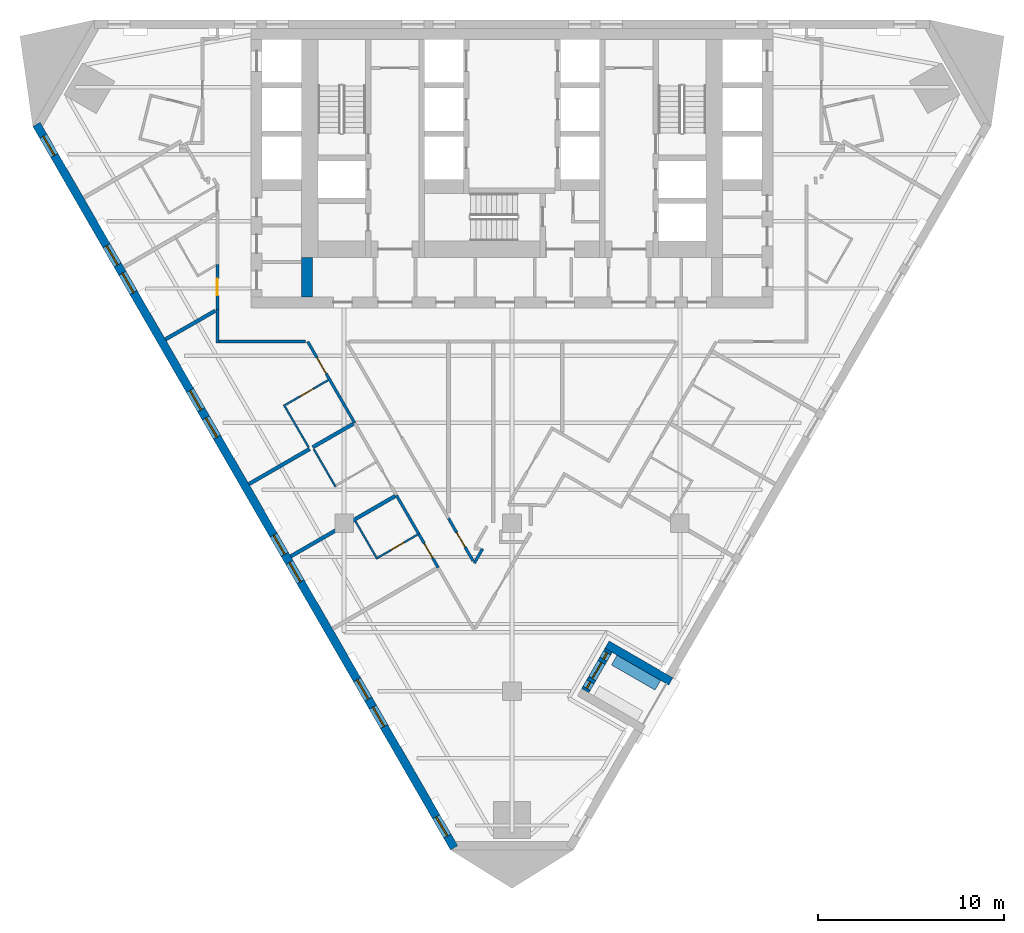
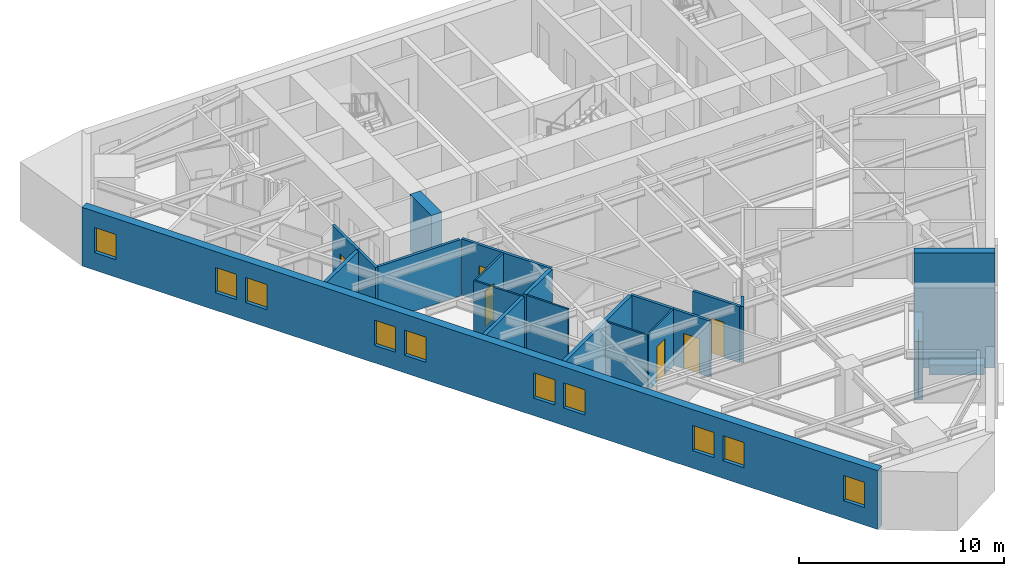
# One storey, part 3 of 11: 22 walls, 12 windows, 7 doors, 19 openings.
"""IFC4 building model written with IfcOpenShell, lengths in metres."""

from ifc_helpers import new_model, si_unit, direction, frame, frame_2d, origin, place, context, subcontext, project, spatial, polyline, rectangle, outline, extrude, material, layer, layer_set, type_object, element, fill, save


model = new_model("IFC4")

# Units and contexts
model_context = context("Model", 3, precision=1e-05, world=origin(), true_north=direction((0.0, 1.0)))
body_context = subcontext(model_context, "Body", "Model", "MODEL_VIEW")
ifc_project = project(units=[si_unit("LENGTHUNIT", "METRE"), si_unit("AREAUNIT", "SQUARE_METRE"), si_unit("VOLUMEUNIT", "CUBIC_METRE"), si_unit("PLANEANGLEUNIT", "RADIAN"), si_unit("MASSUNIT", "GRAM", prefix="KILO")], contexts=[model_context])

# Site, building, storey
site_placement = place(None, origin())
site = spatial("IfcSite", under=ifc_project, at=site_placement, CompositionType="ELEMENT")
building_placement = place(site_placement, origin())
building = spatial("IfcBuilding", under=site, at=building_placement, Name="Aloe Facet Convention Tower", CompositionType="ELEMENT")
storey_placement = place(building_placement, frame((0.0, 0.0, 66.5)))
storey = spatial("IfcBuildingStorey", under=building, at=storey_placement, Name="L15", CompositionType="ELEMENT", Elevation=66.5)

# Walls
ifc_material_1 = material(Name="Concrete C80/95", Category="concrete")
ifc_layer_1 = layer(ifc_material_1, 0.60009765625)
ifc_layer_set_1 = layer_set([ifc_layer_1], Name="CR-W-RC600-C8095")
wall_type_1 = type_object("IfcWallType", Name="CR-W-RC600-C8095", PredefinedType="SOLIDWALL", material=ifc_layer_set_1)
wall_1_placement = place(storey_placement, frame((69.0, 122.25, 0.0), z_axis=(0.0, 0.0, 1.0), x_axis=(0.0, -1.0, 0.0)))
element("IfcWall", 1, at=wall_1_placement, inside=storey, type_object=wall_type_1, Name="Core wall L15-010", PredefinedType="SOLIDWALL", context=body_context, shape_type="SweptSolid", body=[
    extrude(rectangle(XDim=2.10009765625, YDim=0.60009765625, at=frame_2d((1.050048828125, 0.0))), origin(), (0.0, 0.0, 1.0), 3.35009765625),
])
ifc_material_2 = material(Name="Precast concrete C40/50", Category="concrete")
ifc_layer_2 = layer(ifc_material_2, 0.60009765625)
ifc_layer_set_2 = layer_set([ifc_layer_2], Name="EV-PLANTER")
wall_type_2 = type_object("IfcWallType", Name="EV-PLANTER", PredefinedType="STANDARD", material=ifc_layer_set_2)
wall_2_placement = place(storey_placement, frame((87.822021484375, 99.318603515625, 0.0), z_axis=(0.0, 0.0, 1.0), x_axis=(-0.866019956843, 0.50000943426, 0.0)))
element("IfcWall", 2, at=wall_2_placement, inside=storey, type_object=wall_type_2, Name="PLANTER T03-2", PredefinedType="STANDARD", context=body_context, shape_type="SweptSolid", body=[
    extrude(rectangle(XDim=2.7001953125, YDim=0.60009765625, at=frame_2d((1.35009765625, 0.0))), origin(), (0.0, 0.0, 1.0), 0.60009765625),
])

# Wall, openings, windows
ifc_material_3 = material(Name="Precast concrete C40/50", Category="concrete")
ifc_layer_3 = layer(ifc_material_3, 0.449951171875)
ifc_layer_set_3 = layer_set([ifc_layer_3], Name="EV-WALL-STONE")
wall_type_3 = type_object("IfcWallType", Name="EV-WALL-STONE", PredefinedType="SOLIDWALL", material=ifc_layer_set_3)
wall_3_placement = place(storey_placement, frame((54.494873046875, 129.396728515625, -0.14990234375), z_axis=(0.0, 0.0, 1.0), x_axis=(0.499999201451, -0.866025864826, 0.0)))
wall_3 = element("IfcWall", 3, at=wall_3_placement, inside=storey, type_object=wall_type_3, Name="EW-L15-W01", PredefinedType="SOLIDWALL", context=body_context, shape_type="SweptSolid", body=[
    extrude(outline(polyline([(44.800048828125, 0.0), (44.800048828125, 3.5), (0.0, 3.5), (0.0, 0.0), (44.800048828125, 0.0)])), frame((0.0, 0.22509765625, 0.0), z_axis=(0.0, -1.0, 0.0), x_axis=(1.0, 0.0, 0.0)), (0.0, 0.0, 1.0), 0.449951171875),
])
opening_1_placement = place(wall_3_placement, frame((0.72216796875, 0.0, 1.050048828125)))
opening_1 = element("IfcOpeningElement", 4, at=opening_1_placement, cuts=wall_3, Name="Opening W-L15-W01", PredefinedType="OPENING", context=body_context, shape_type="SweptSolid", body=[
    extrude(rectangle(XDim=1.199951171875, YDim=1.5, at=frame_2d((0.60009765625, 0.75))), frame((0.0, 0.23486328125, 0.0), z_axis=(0.0, -1.0, 0.0), x_axis=(1.0, 0.0, 0.0)), (0.0, 0.0, 1.0), 0.469970703125),
])
opening_2_placement = place(wall_3_placement, frame((7.510009765625, 0.0, 1.050048828125)))
opening_2 = element("IfcOpeningElement", 5, at=opening_2_placement, cuts=wall_3, Name="Opening W-L15-W02", PredefinedType="OPENING", context=body_context, shape_type="SweptSolid", body=[
    extrude(rectangle(XDim=1.199951171875, YDim=1.5, at=frame_2d((0.60009765625, 0.75))), frame((0.0, 0.23486328125, 0.0), z_axis=(0.0, -1.0, 0.0), x_axis=(1.0, 0.0, 0.0)), (0.0, 0.0, 1.0), 0.469970703125),
])
opening_3_placement = place(wall_3_placement, frame((9.2099609375, 0.0, 1.050048828125)))
opening_3 = element("IfcOpeningElement", 6, at=opening_3_placement, cuts=wall_3, Name="Opening W-L15-W03", PredefinedType="OPENING", context=body_context, shape_type="SweptSolid", body=[
    extrude(rectangle(XDim=1.199951171875, YDim=1.5, at=frame_2d((0.60009765625, 0.75))), frame((0.0, 0.23486328125, 0.0), z_axis=(0.0, -1.0, 0.0), x_axis=(1.0, 0.0, 0.0)), (0.0, 0.0, 1.0), 0.469970703125),
])
opening_4_placement = place(wall_3_placement, frame((16.469970703125, 0.0, 1.050048828125)))
opening_4 = element("IfcOpeningElement", 7, at=opening_4_placement, cuts=wall_3, Name="Opening W-L15-W04", PredefinedType="OPENING", context=body_context, shape_type="SweptSolid", body=[
    extrude(rectangle(XDim=1.199951171875, YDim=1.5, at=frame_2d((0.60009765625, 0.75))), frame((0.0, 0.23486328125, 0.0), z_axis=(0.0, -1.0, 0.0), x_axis=(1.0, 0.0, 0.0)), (0.0, 0.0, 1.0), 0.469970703125),
])
opening_5_placement = place(wall_3_placement, frame((18.169921875, 0.0, 1.050048828125)))
opening_5 = element("IfcOpeningElement", 8, at=opening_5_placement, cuts=wall_3, Name="Opening W-L15-W05", PredefinedType="OPENING", context=body_context, shape_type="SweptSolid", body=[
    extrude(rectangle(XDim=1.199951171875, YDim=1.5, at=frame_2d((0.60009765625, 0.75))), frame((0.0, 0.23486328125, 0.0), z_axis=(0.0, -1.0, 0.0), x_axis=(1.0, 0.0, 0.0)), (0.0, 0.0, 1.0), 0.469970703125),
])
opening_6_placement = place(wall_3_placement, frame((25.429931640625, 0.0, 1.050048828125)))
opening_6 = element("IfcOpeningElement", 9, at=opening_6_placement, cuts=wall_3, Name="Opening W-L15-W06", PredefinedType="OPENING", context=body_context, shape_type="SweptSolid", body=[
    extrude(rectangle(XDim=1.199951171875, YDim=1.5, at=frame_2d((0.60009765625, 0.75))), frame((0.0, 0.23486328125, 0.0), z_axis=(0.0, -1.0, 0.0), x_axis=(1.0, 0.0, 0.0)), (0.0, 0.0, 1.0), 0.469970703125),
])
opening_7_placement = place(wall_3_placement, frame((27.1298828125, 0.0, 1.050048828125)))
opening_7 = element("IfcOpeningElement", 10, at=opening_7_placement, cuts=wall_3, Name="Opening W-L15-W07", PredefinedType="OPENING", context=body_context, shape_type="SweptSolid", body=[
    extrude(rectangle(XDim=1.199951171875, YDim=1.5, at=frame_2d((0.60009765625, 0.75))), frame((0.0, 0.23486328125, 0.0), z_axis=(0.0, -1.0, 0.0), x_axis=(1.0, 0.0, 0.0)), (0.0, 0.0, 1.0), 0.469970703125),
])
opening_8_placement = place(wall_3_placement, frame((34.389892578125, 0.0, 1.050048828125)))
opening_8 = element("IfcOpeningElement", 11, at=opening_8_placement, cuts=wall_3, Name="Opening W-L15-W08", PredefinedType="OPENING", context=body_context, shape_type="SweptSolid", body=[
    extrude(rectangle(XDim=1.199951171875, YDim=1.5, at=frame_2d((0.60009765625, 0.75))), frame((0.0, 0.23486328125, 0.0), z_axis=(0.0, -1.0, 0.0), x_axis=(1.0, 0.0, 0.0)), (0.0, 0.0, 1.0), 0.469970703125),
])
opening_9_placement = place(wall_3_placement, frame((36.090087890625, 0.0, 1.050048828125)))
opening_9 = element("IfcOpeningElement", 12, at=opening_9_placement, cuts=wall_3, Name="Opening W-L15-W09", PredefinedType="OPENING", context=body_context, shape_type="SweptSolid", body=[
    extrude(rectangle(XDim=1.199951171875, YDim=1.5, at=frame_2d((0.60009765625, 0.75))), frame((0.0, 0.23486328125, 0.0), z_axis=(0.0, -1.0, 0.0), x_axis=(1.0, 0.0, 0.0)), (0.0, 0.0, 1.0), 0.469970703125),
])
opening_10_placement = place(wall_3_placement, frame((42.8779296875, 0.0, 1.050048828125)))
opening_10 = element("IfcOpeningElement", 13, at=opening_10_placement, cuts=wall_3, Name="Opening W-L15-W10", PredefinedType="OPENING", context=body_context, shape_type="SweptSolid", body=[
    extrude(rectangle(XDim=1.199951171875, YDim=1.5, at=frame_2d((0.60009765625, 0.75))), frame((0.0, 0.23486328125, 0.0), z_axis=(0.0, -1.0, 0.0), x_axis=(1.0, 0.0, 0.0)), (0.0, 0.0, 1.0), 0.469970703125),
])
ifc_material_4 = material(Name="Aluminium frame, clear double glazing", Category="aluminium")
window_type_1 = type_object("IfcWindowType", Name="EV-WIN-H12", PartitioningType="SINGLE_PANEL", PredefinedType="WINDOW", material=ifc_material_4)
window_1_placement = place(opening_1_placement, origin())
window_1 = element("IfcWindow", 14, at=window_1_placement, inside=storey, type_object=window_type_1, Name="W-L15-W01", OverallHeight=1.5, OverallWidth=1.199951171875, PartitioningType="SINGLE_PANEL", PredefinedType="WINDOW", context=body_context, shape_type="SweptSolid", body=[
    extrude(rectangle(XDim=1.199951171875, YDim=1.5, at=frame_2d((0.60009765625, 0.75))), frame((0.0, 0.030029296875, 0.0), z_axis=(0.0, -1.0, 0.0), x_axis=(1.0, 0.0, 0.0)), (0.0, 0.0, 1.0), 0.06005859375),
])
fill(opening_1, window_1)
window_2_placement = place(opening_2_placement, origin())
window_2 = element("IfcWindow", 15, at=window_2_placement, inside=storey, type_object=window_type_1, Name="W-L15-W02", OverallHeight=1.5, OverallWidth=1.199951171875, PartitioningType="SINGLE_PANEL", PredefinedType="WINDOW", context=body_context, shape_type="SweptSolid", body=[
    extrude(rectangle(XDim=1.199951171875, YDim=1.5, at=frame_2d((0.60009765625, 0.75))), frame((0.0, 0.030029296875, 0.0), z_axis=(0.0, -1.0, 0.0), x_axis=(1.0, 0.0, 0.0)), (0.0, 0.0, 1.0), 0.06005859375),
])
fill(opening_2, window_2)
window_3_placement = place(opening_3_placement, origin())
window_3 = element("IfcWindow", 16, at=window_3_placement, inside=storey, type_object=window_type_1, Name="W-L15-W03", OverallHeight=1.5, OverallWidth=1.199951171875, PartitioningType="SINGLE_PANEL", PredefinedType="WINDOW", context=body_context, shape_type="SweptSolid", body=[
    extrude(rectangle(XDim=1.199951171875, YDim=1.5, at=frame_2d((0.60009765625, 0.75))), frame((0.0, 0.030029296875, 0.0), z_axis=(0.0, -1.0, 0.0), x_axis=(1.0, 0.0, 0.0)), (0.0, 0.0, 1.0), 0.06005859375),
])
fill(opening_3, window_3)
window_4_placement = place(opening_4_placement, origin())
window_4 = element("IfcWindow", 17, at=window_4_placement, inside=storey, type_object=window_type_1, Name="W-L15-W04", OverallHeight=1.5, OverallWidth=1.199951171875, PartitioningType="SINGLE_PANEL", PredefinedType="WINDOW", context=body_context, shape_type="SweptSolid", body=[
    extrude(rectangle(XDim=1.199951171875, YDim=1.5, at=frame_2d((0.60009765625, 0.75))), frame((0.0, 0.030029296875, 0.0), z_axis=(0.0, -1.0, 0.0), x_axis=(1.0, 0.0, 0.0)), (0.0, 0.0, 1.0), 0.06005859375),
])
fill(opening_4, window_4)
window_5_placement = place(opening_5_placement, origin())
window_5 = element("IfcWindow", 18, at=window_5_placement, inside=storey, type_object=window_type_1, Name="W-L15-W05", OverallHeight=1.5, OverallWidth=1.199951171875, PartitioningType="SINGLE_PANEL", PredefinedType="WINDOW", context=body_context, shape_type="SweptSolid", body=[
    extrude(rectangle(XDim=1.199951171875, YDim=1.5, at=frame_2d((0.60009765625, 0.75))), frame((0.0, 0.030029296875, 0.0), z_axis=(0.0, -1.0, 0.0), x_axis=(1.0, 0.0, 0.0)), (0.0, 0.0, 1.0), 0.06005859375),
])
fill(opening_5, window_5)
window_6_placement = place(opening_6_placement, origin())
window_6 = element("IfcWindow", 19, at=window_6_placement, inside=storey, type_object=window_type_1, Name="W-L15-W06", OverallHeight=1.5, OverallWidth=1.199951171875, PartitioningType="SINGLE_PANEL", PredefinedType="WINDOW", context=body_context, shape_type="SweptSolid", body=[
    extrude(rectangle(XDim=1.199951171875, YDim=1.5, at=frame_2d((0.60009765625, 0.75))), frame((0.0, 0.030029296875, 0.0), z_axis=(0.0, -1.0, 0.0), x_axis=(1.0, 0.0, 0.0)), (0.0, 0.0, 1.0), 0.06005859375),
])
fill(opening_6, window_6)
window_7_placement = place(opening_7_placement, origin())
window_7 = element("IfcWindow", 20, at=window_7_placement, inside=storey, type_object=window_type_1, Name="W-L15-W07", OverallHeight=1.5, OverallWidth=1.199951171875, PartitioningType="SINGLE_PANEL", PredefinedType="WINDOW", context=body_context, shape_type="SweptSolid", body=[
    extrude(rectangle(XDim=1.199951171875, YDim=1.5, at=frame_2d((0.60009765625, 0.75))), frame((0.0, 0.030029296875, 0.0), z_axis=(0.0, -1.0, 0.0), x_axis=(1.0, 0.0, 0.0)), (0.0, 0.0, 1.0), 0.06005859375),
])
fill(opening_7, window_7)
window_8_placement = place(opening_8_placement, origin())
window_8 = element("IfcWindow", 21, at=window_8_placement, inside=storey, type_object=window_type_1, Name="W-L15-W08", OverallHeight=1.5, OverallWidth=1.199951171875, PartitioningType="SINGLE_PANEL", PredefinedType="WINDOW", context=body_context, shape_type="SweptSolid", body=[
    extrude(rectangle(XDim=1.199951171875, YDim=1.5, at=frame_2d((0.60009765625, 0.75))), frame((0.0, 0.030029296875, 0.0), z_axis=(0.0, -1.0, 0.0), x_axis=(1.0, 0.0, 0.0)), (0.0, 0.0, 1.0), 0.06005859375),
])
fill(opening_8, window_8)
window_9_placement = place(opening_9_placement, origin())
window_9 = element("IfcWindow", 22, at=window_9_placement, inside=storey, type_object=window_type_1, Name="W-L15-W09", OverallHeight=1.5, OverallWidth=1.199951171875, PartitioningType="SINGLE_PANEL", PredefinedType="WINDOW", context=body_context, shape_type="SweptSolid", body=[
    extrude(rectangle(XDim=1.199951171875, YDim=1.5, at=frame_2d((0.60009765625, 0.75))), frame((0.0, 0.030029296875, 0.0), z_axis=(0.0, -1.0, 0.0), x_axis=(1.0, 0.0, 0.0)), (0.0, 0.0, 1.0), 0.06005859375),
])
fill(opening_9, window_9)
window_10_placement = place(opening_10_placement, origin())
window_10 = element("IfcWindow", 23, at=window_10_placement, inside=storey, type_object=window_type_1, Name="W-L15-W10", OverallHeight=1.5, OverallWidth=1.199951171875, PartitioningType="SINGLE_PANEL", PredefinedType="WINDOW", context=body_context, shape_type="SweptSolid", body=[
    extrude(rectangle(XDim=1.199951171875, YDim=1.5, at=frame_2d((0.60009765625, 0.75))), frame((0.0, 0.030029296875, 0.0), z_axis=(0.0, -1.0, 0.0), x_axis=(1.0, 0.0, 0.0)), (0.0, 0.0, 1.0), 0.06005859375),
])
fill(opening_10, window_10)

# Wall
wall_4_placement = place(storey_placement, frame((88.517578125, 99.523193359375, 0.0), z_axis=(0.0, 0.0, 1.0), x_axis=(-0.866020906874, 0.500007788796, 0.0)))
element("IfcWall", 24, at=wall_4_placement, inside=storey, type_object=wall_type_3, Name="TW-T03-2", PredefinedType="SOLIDWALL", context=body_context, shape_type="SweptSolid", body=[
    extrude(rectangle(XDim=3.9501953125, YDim=0.449951171875, at=frame_2d((1.97509765625, 0.0))), origin(), (0.0, 0.0, 1.0), 6.85009765625),
])

# Wall, openings, door, windows
wall_5_placement = place(storey_placement, frame((83.928955078125, 99.02587890625, -0.14990234375), z_axis=(0.0, 0.0, 1.0), x_axis=(0.500004234368, 0.866022959057, 0.0)))
wall_5 = element("IfcWall", 25, at=wall_5_placement, inside=storey, type_object=wall_type_3, Name="TB-T03-L15", PredefinedType="SOLIDWALL", context=body_context, shape_type="SweptSolid", body=[
    extrude(rectangle(XDim=2.5, YDim=0.449951171875, at=frame_2d((1.25, 0.0))), origin(), (0.0, 0.0, 1.0), 3.5),
])
opening_11_placement = place(wall_5_placement, frame((0.75, 0.0, 0.14990234375)))
opening_11 = element("IfcOpeningElement", 26, at=opening_11_placement, cuts=wall_5, Name="Opening D-T03", PredefinedType="OPENING", context=body_context, shape_type="SweptSolid", body=[
    extrude(rectangle(XDim=1.0, YDim=2.39990234375, at=frame_2d((0.5, 1.199951171875))), frame((0.0, 0.23486328125, 0.0), z_axis=(0.0, -1.0, 0.0), x_axis=(1.0, 0.0, 0.0)), (0.0, 0.0, 1.0), 0.469970703125),
])
opening_12_placement = place(wall_5_placement, frame((0.14990234375, 0.0, 0.14990234375)))
opening_12 = element("IfcOpeningElement", 27, at=opening_12_placement, cuts=wall_5, Name="Opening G-T03-1", PredefinedType="OPENING", context=body_context, shape_type="SweptSolid", body=[
    extrude(rectangle(XDim=0.39990234375, YDim=2.39990234375, at=frame_2d((0.199951171875, 1.199951171875))), frame((0.0, 0.23486328125, 0.0), z_axis=(0.0, -1.0, 0.0), x_axis=(1.0, 0.0, 0.0)), (0.0, 0.0, 1.0), 0.469970703125),
])
opening_13_placement = place(wall_5_placement, frame((1.949951171875, 0.0, 0.14990234375)))
opening_13 = element("IfcOpeningElement", 28, at=opening_13_placement, cuts=wall_5, Name="Opening G-T03-2", PredefinedType="OPENING", context=body_context, shape_type="SweptSolid", body=[
    extrude(rectangle(XDim=0.39990234375, YDim=2.39990234375, at=frame_2d((0.199951171875, 1.199951171875))), frame((0.0, 0.23486328125, 0.0), z_axis=(0.0, -1.0, 0.0), x_axis=(1.0, 0.0, 0.0)), (0.0, 0.0, 1.0), 0.469970703125),
])
ifc_material_5 = material(Name="Aluminium frame, clear double glazing", Category="aluminium")
door_type_1 = type_object("IfcDoorType", Name="EV-DOOR-TERR", OperationType="SINGLE_SWING_LEFT", PredefinedType="DOOR", material=ifc_material_5)
door_1_placement = place(opening_11_placement, origin())
door_1 = element("IfcDoor", 29, at=door_1_placement, inside=storey, type_object=door_type_1, Name="D-T03", OperationType="SINGLE_SWING_LEFT", OverallHeight=2.39990234375, OverallWidth=1.0, PredefinedType="DOOR", context=body_context, shape_type="SweptSolid", body=[
    extrude(rectangle(XDim=1.0, YDim=2.39990234375, at=frame_2d((0.5, 1.199951171875))), frame((0.0, 0.02490234375, 0.0), z_axis=(0.0, -1.0, 0.0), x_axis=(1.0, 0.0, 0.0)), (0.0, 0.0, 1.0), 0.050048828125),
])
fill(opening_11, door_1)
ifc_material_6 = material(Name="Aluminium frame, clear double glazing", Category="aluminium")
window_type_2 = type_object("IfcWindowType", Name="EV-WIN-SL40", PartitioningType="SINGLE_PANEL", PredefinedType="WINDOW", material=ifc_material_6)
window_11_placement = place(opening_12_placement, origin())
window_11 = element("IfcWindow", 30, at=window_11_placement, inside=storey, type_object=window_type_2, Name="G-T03-1", OverallHeight=2.39990234375, OverallWidth=0.39990234375, PartitioningType="SINGLE_PANEL", PredefinedType="WINDOW", context=body_context, shape_type="SweptSolid", body=[
    extrude(rectangle(XDim=0.39990234375, YDim=2.39990234375, at=frame_2d((0.199951171875, 1.199951171875))), frame((0.0, 0.030029296875, 0.0), z_axis=(0.0, -1.0, 0.0), x_axis=(1.0, 0.0, 0.0)), (0.0, 0.0, 1.0), 0.06005859375),
])
fill(opening_12, window_11)
window_12_placement = place(opening_13_placement, origin())
window_12 = element("IfcWindow", 31, at=window_12_placement, inside=storey, type_object=window_type_2, Name="G-T03-2", OverallHeight=2.39990234375, OverallWidth=0.39990234375, PartitioningType="SINGLE_PANEL", PredefinedType="WINDOW", context=body_context, shape_type="SweptSolid", body=[
    extrude(rectangle(XDim=0.39990234375, YDim=2.39990234375, at=frame_2d((0.199951171875, 1.199951171875))), frame((0.0, 0.030029296875, 0.0), z_axis=(0.0, -1.0, 0.0), x_axis=(1.0, 0.0, 0.0)), (0.0, 0.0, 1.0), 0.06005859375),
])
fill(opening_13, window_12)

# Wall, opening, door
ifc_material_7 = material(Name="Gypsum board partition on steel studs", Category="steel")
ifc_layer_4 = layer(ifc_material_7, 0.14990234375)
ifc_layer_set_4 = layer_set([ifc_layer_4], Name="IN-W-CORR")
wall_type_4 = type_object("IfcWallType", Name="IN-W-CORR", PredefinedType="PARTITIONING", material=ifc_layer_set_4)
wall_6_placement = place(storey_placement, frame((74.9970703125, 107.435546875, 0.0), z_axis=(0.0, 0.0, 1.0), x_axis=(0.500096586542, -0.865969632337, 0.0)))
wall_6 = element("IfcWall", 32, at=wall_6_placement, inside=storey, type_object=wall_type_4, Name="Partition L15-W003", PredefinedType="PARTITIONING", context=body_context, shape_type="SweptSolid", body=[
    extrude(rectangle(XDim=2.08984375, YDim=0.14990234375, at=frame_2d((1.044921875, 0.0))), origin(), (0.0, 0.0, 1.0), 3.35009765625),
])
opening_14_placement = place(wall_6_placement, frame((0.594970703125, 0.0, 0.0)))
opening_14 = element("IfcOpeningElement", 33, at=opening_14_placement, cuts=wall_6, Name="Opening L15-007", PredefinedType="OPENING", context=body_context, shape_type="SweptSolid", body=[
    extrude(rectangle(XDim=0.89990234375, YDim=2.10009765625, at=frame_2d((0.449951171875, 1.050048828125))), frame((0.0, 0.0849609375, 0.0), z_axis=(0.0, -1.0, 0.0), x_axis=(1.0, 0.0, 0.0)), (0.0, 0.0, 1.0), 0.169921875),
])
ifc_material_8 = material(Name="Hardwood flush door FD30S", Category="wood")
door_type_2 = type_object("IfcDoorType", Name="IN-D-GUEST", OperationType="SINGLE_SWING_LEFT", PredefinedType="DOOR", material=ifc_material_8)
door_2_placement = place(opening_14_placement, origin())
door_2 = element("IfcDoor", 34, at=door_2_placement, inside=storey, type_object=door_type_2, Name="Door L15-007", OperationType="SINGLE_SWING_LEFT", OverallHeight=2.10009765625, OverallWidth=0.89990234375, PredefinedType="DOOR", context=body_context, shape_type="SweptSolid", body=[
    extrude(rectangle(XDim=0.89990234375, YDim=2.10009765625, at=frame_2d((0.449951171875, 1.050048828125))), frame((0.0, 0.02490234375, 0.0), z_axis=(0.0, -1.0, 0.0), x_axis=(1.0, 0.0, 0.0)), (0.0, 0.0, 1.0), 0.050048828125),
])
fill(opening_14, door_2)

# Wall
wall_7_placement = place(storey_placement, frame((77.979248046875, 105.87060546875, 0.0), z_axis=(0.0, 0.0, 1.0), x_axis=(0.500080197481, 0.865979096796, 0.0)))
element("IfcWall", 35, at=wall_7_placement, inside=storey, type_object=wall_type_4, Name="Partition L15-W004", PredefinedType="PARTITIONING", context=body_context, shape_type="SweptSolid", body=[
    extrude(rectangle(XDim=0.885986328125, YDim=0.14990234375, at=frame_2d((0.44287109375, 0.0))), origin(), (0.0, 0.0, 1.0), 3.35009765625),
])

# Wall, opening, door
wall_8_placement = place(storey_placement, frame((76.594970703125, 108.26806640625, 0.0), z_axis=(0.0, 0.0, 1.0), x_axis=(0.500000102728, -0.866025344474, 0.0)))
wall_8 = element("IfcWall", 36, at=wall_8_placement, inside=storey, type_object=wall_type_4, Name="Partition L15-W019", PredefinedType="PARTITIONING", context=body_context, shape_type="SweptSolid", body=[
    extrude(rectangle(XDim=2.638671875, YDim=0.14990234375, at=frame_2d((1.3193359375, 0.0))), origin(), (0.0, 0.0, 1.0), 3.35009765625),
])
opening_15_placement = place(wall_8_placement, frame((0.869384765625, 0.0, 0.0)))
opening_15 = element("IfcOpeningElement", 37, at=opening_15_placement, cuts=wall_8, Name="Opening L15-013", PredefinedType="OPENING", context=body_context, shape_type="SweptSolid", body=[
    extrude(rectangle(XDim=0.89990234375, YDim=2.10009765625, at=frame_2d((0.449951171875, 1.050048828125))), frame((0.0, 0.0849609375, 0.0), z_axis=(0.0, -1.0, 0.0), x_axis=(1.0, 0.0, 0.0)), (0.0, 0.0, 1.0), 0.169921875),
])
door_3_placement = place(opening_15_placement, origin())
door_3 = element("IfcDoor", 38, at=door_3_placement, inside=storey, type_object=door_type_2, Name="Door L15-013", OperationType="SINGLE_SWING_LEFT", OverallHeight=2.10009765625, OverallWidth=0.89990234375, PredefinedType="DOOR", context=body_context, shape_type="SweptSolid", body=[
    extrude(rectangle(XDim=0.89990234375, YDim=2.10009765625, at=frame_2d((0.449951171875, 1.050048828125))), frame((0.0, 0.02490234375, 0.0), z_axis=(0.0, -1.0, 0.0), x_axis=(1.0, 0.0, 0.0)), (0.0, 0.0, 1.0), 0.050048828125),
])
fill(opening_15, door_3)

# Wall
wall_9_placement = place(storey_placement, frame((73.80224609375, 109.50537109375, 0.0), z_axis=(0.0, 0.0, 1.0), x_axis=(0.499940577336, -0.866059708757, 0.0)))
element("IfcWall", 39, at=wall_9_placement, inside=storey, type_object=wall_type_4, Name="Partition L15-W026", PredefinedType="PARTITIONING", context=body_context, shape_type="SweptSolid", body=[
    extrude(rectangle(XDim=2.389892578125, YDim=0.14990234375, at=frame_2d((1.19482421875, 0.0))), origin(), (0.0, 0.0, 1.0), 3.35009765625),
])

# Wall, opening, door
wall_10_placement = place(storey_placement, frame((69.042236328125, 117.75, 0.0), z_axis=(0.0, 0.0, 1.0), x_axis=(0.500004791531, -0.866022637375, 0.0)))
wall_10 = element("IfcWall", 40, at=wall_10_placement, inside=storey, type_object=wall_type_4, Name="Partition L15-W049", PredefinedType="PARTITIONING", context=body_context, shape_type="SweptSolid", body=[
    extrude(rectangle(XDim=5.0400390625, YDim=0.14990234375, at=frame_2d((2.52001953125, 0.0))), origin(), (0.0, 0.0, 1.0), 3.35009765625),
])
opening_16_placement = place(wall_10_placement, frame((0.988037109375, 0.0, 0.0)))
opening_16 = element("IfcOpeningElement", 41, at=opening_16_placement, cuts=wall_10, Name="Opening L15-005", PredefinedType="OPENING", context=body_context, shape_type="SweptSolid", body=[
    extrude(rectangle(XDim=1.0, YDim=2.10009765625, at=frame_2d((0.5, 1.050048828125))), frame((0.0, 0.0849609375, 0.0), z_axis=(0.0, -1.0, 0.0), x_axis=(1.0, 0.0, 0.0)), (0.0, 0.0, 1.0), 0.169921875),
])
ifc_material_9 = material(Name="Hardwood flush door FD30S", Category="wood")
door_type_3 = type_object("IfcDoorType", Name="IN-D-WIDE", OperationType="SINGLE_SWING_LEFT", PredefinedType="DOOR", material=ifc_material_9)
door_4_placement = place(opening_16_placement, origin())
door_4 = element("IfcDoor", 42, at=door_4_placement, inside=storey, type_object=door_type_3, Name="Door L15-005", OperationType="SINGLE_SWING_LEFT", OverallHeight=2.10009765625, OverallWidth=1.0, PredefinedType="DOOR", context=body_context, shape_type="SweptSolid", body=[
    extrude(rectangle(XDim=1.0, YDim=2.10009765625, at=frame_2d((0.5, 1.050048828125))), frame((0.0, 0.02490234375, 0.0), z_axis=(0.0, -1.0, 0.0), x_axis=(1.0, 0.0, 0.0)), (0.0, 0.0, 1.0), 0.050048828125),
])
fill(opening_16, door_4)

# Walls
wall_11_placement = place(storey_placement, frame((64.199951171875, 117.675048828125, 0.0), z_axis=(0.0, 0.0, 1.0), x_axis=(0.0, 1.0, 0.0)))
element("IfcWall", 43, at=wall_11_placement, inside=storey, type_object=wall_type_4, Name="Partition L15-W060", PredefinedType="PARTITIONING", context=body_context, shape_type="SweptSolid", body=[
    extrude(rectangle(XDim=1.794189453125, YDim=0.14990234375, at=frame_2d((0.89697265625, 0.0))), origin(), (0.0, 0.0, 1.0), 3.35009765625),
])
wall_12_placement = place(storey_placement, frame((64.27490234375, 117.75, 0.0), z_axis=(0.0, 0.0, 1.0), x_axis=(1.0, 0.0, 0.0)))
element("IfcWall", 44, at=wall_12_placement, inside=storey, type_object=wall_type_4, Name="Partition L15-W061", PredefinedType="PARTITIONING", context=body_context, shape_type="SweptSolid", body=[
    extrude(rectangle(XDim=4.637451171875, YDim=0.14990234375, at=frame_2d((2.31884765625, 0.0))), origin(), (0.0, 0.0, 1.0), 3.35009765625),
])

# Wall, opening, door
wall_13_placement = place(storey_placement, frame((64.199951171875, 119.46923828125, 0.0), z_axis=(0.0, 0.0, 1.0), x_axis=(0.0, 1.0, 0.0)))
wall_13 = element("IfcWall", 45, at=wall_13_placement, inside=storey, type_object=wall_type_4, Name="Partition L15-W070", PredefinedType="PARTITIONING", context=body_context, shape_type="SweptSolid", body=[
    extrude(rectangle(XDim=2.4248046875, YDim=0.14990234375, at=frame_2d((1.21240234375, 0.0))), origin(), (0.0, 0.0, 1.0), 3.35009765625),
])
opening_17_placement = place(wall_13_placement, frame((0.762451171875, 0.0, 0.0)))
opening_17 = element("IfcOpeningElement", 46, at=opening_17_placement, cuts=wall_13, Name="Opening L15-004", PredefinedType="OPENING", context=body_context, shape_type="SweptSolid", body=[
    extrude(rectangle(XDim=0.89990234375, YDim=2.10009765625, at=frame_2d((0.449951171875, 1.050048828125))), frame((0.0, 0.0849609375, 0.0), z_axis=(0.0, -1.0, 0.0), x_axis=(1.0, 0.0, 0.0)), (0.0, 0.0, 1.0), 0.169921875),
])
door_5_placement = place(opening_17_placement, origin())
door_5 = element("IfcDoor", 47, at=door_5_placement, inside=storey, type_object=door_type_2, Name="Door L15-004", OperationType="SINGLE_SWING_LEFT", OverallHeight=2.10009765625, OverallWidth=0.89990234375, PredefinedType="DOOR", context=body_context, shape_type="SweptSolid", body=[
    extrude(rectangle(XDim=0.89990234375, YDim=2.10009765625, at=frame_2d((0.449951171875, 1.050048828125))), frame((0.0, 0.02490234375, 0.0), z_axis=(0.0, -1.0, 0.0), x_axis=(1.0, 0.0, 0.0)), (0.0, 0.0, 1.0), 0.050048828125),
])
fill(opening_17, door_5)

# Wall
ifc_material_10 = material(Name="Gypsum board partition on steel studs", Category="steel")
ifc_layer_5 = layer(ifc_material_10, 0.10009765625)
ifc_layer_set_5 = layer_set([ifc_layer_5], Name="IN-W-PART")
wall_type_5 = type_object("IfcWallType", Name="IN-W-PART", PredefinedType="PARTITIONING", material=ifc_layer_set_5)
wall_14_placement = place(storey_placement, frame((71.6005859375, 108.118896484375, 0.0), z_axis=(0.0, 0.0, 1.0), x_axis=(0.499938297808, -0.866061024631, 0.0)))
element("IfcWall", 48, at=wall_14_placement, inside=storey, type_object=wall_type_5, Name="Partition L15-W005", PredefinedType="PARTITIONING", context=body_context, shape_type="SweptSolid", body=[
    extrude(rectangle(XDim=2.349853515625, YDim=0.10009765625, at=frame_2d((1.1748046875, 0.0))), origin(), (0.0, 0.0, 1.0), 3.35009765625),
])

# Wall, opening, door
wall_15_placement = place(storey_placement, frame((72.80224609375, 106.1572265625, 0.0), z_axis=(0.0, 0.0, 1.0), x_axis=(0.864132137734, 0.503264988386, 0.0)))
wall_15 = element("IfcWall", 49, at=wall_15_placement, inside=storey, type_object=wall_type_5, Name="Partition L15-W011", PredefinedType="PARTITIONING", context=body_context, shape_type="SweptSolid", body=[
    extrude(rectangle(XDim=2.455078125, YDim=0.10009765625, at=frame_2d((1.2275390625, 0.0))), origin(), (0.0, 0.0, 1.0), 3.35009765625),
])
opening_18_placement = place(wall_15_placement, frame((0.827392578125, 0.0, 0.0)))
opening_18 = element("IfcOpeningElement", 50, at=opening_18_placement, cuts=wall_15, Name="Opening L15-022", PredefinedType="OPENING", context=body_context, shape_type="SweptSolid", body=[
    extrude(rectangle(XDim=0.800048828125, YDim=2.10009765625, at=frame_2d((0.39990234375, 1.050048828125))), frame((0.0, 0.06005859375, 0.0), z_axis=(0.0, -1.0, 0.0), x_axis=(1.0, 0.0, 0.0)), (0.0, 0.0, 1.0), 0.1201171875),
])
ifc_material_11 = material(Name="Timber flush door", Category="wood")
door_type_4 = type_object("IfcDoorType", Name="IN-D-BATH", OperationType="SINGLE_SWING_LEFT", PredefinedType="DOOR", material=ifc_material_11)
door_6_placement = place(opening_18_placement, origin())
door_6 = element("IfcDoor", 51, at=door_6_placement, inside=storey, type_object=door_type_4, Name="Door L15-022", OperationType="SINGLE_SWING_LEFT", OverallHeight=2.10009765625, OverallWidth=0.800048828125, PredefinedType="DOOR", context=body_context, shape_type="SweptSolid", body=[
    extrude(rectangle(XDim=0.800048828125, YDim=2.10009765625, at=frame_2d((0.39990234375, 1.050048828125))), frame((0.0, 0.02490234375, 0.0), z_axis=(0.0, -1.0, 0.0), x_axis=(1.0, 0.0, 0.0)), (0.0, 0.0, 1.0), 0.050048828125),
])
fill(opening_18, door_6)

# Walls
wall_16_placement = place(storey_placement, frame((69.365478515625, 111.989990234375, 0.0), z_axis=(0.0, 0.0, 1.0), x_axis=(0.499999433879, -0.866025730634, 0.0)))
element("IfcWall", 52, at=wall_16_placement, inside=storey, type_object=wall_type_5, Name="Partition L15-W033", PredefinedType="PARTITIONING", context=body_context, shape_type="SweptSolid", body=[
    extrude(rectangle(XDim=2.33984375, YDim=0.10009765625, at=frame_2d((1.169921875, 0.0))), origin(), (0.0, 0.0, 1.0), 3.35009765625),
])
wall_17_placement = place(storey_placement, frame((67.76220703125, 114.36669921875, 0.0), z_axis=(0.0, 0.0, 1.0), x_axis=(0.503163628445, -0.86419116115, 0.0)))
element("IfcWall", 53, at=wall_17_placement, inside=storey, type_object=wall_type_5, Name="Partition L15-W041", PredefinedType="PARTITIONING", context=body_context, shape_type="SweptSolid", body=[
    extrude(rectangle(XDim=2.64013671875, YDim=0.10009765625, at=frame_2d((1.320068359375, 0.0))), origin(), (0.0, 0.0, 1.0), 3.35009765625),
])

# Wall, opening, door
wall_18_placement = place(storey_placement, frame((67.83935546875, 114.353515625, 0.0), z_axis=(0.0, 0.0, 1.0), x_axis=(0.86601318911, 0.500021155841, 0.0)))
wall_18 = element("IfcWall", 54, at=wall_18_placement, inside=storey, type_object=wall_type_5, Name="Partition L15-W055", PredefinedType="PARTITIONING", context=body_context, shape_type="SweptSolid", body=[
    extrude(rectangle(XDim=2.6650390625, YDim=0.10009765625, at=frame_2d((1.33251953125, 0.0))), origin(), (0.0, 0.0, 1.0), 3.35009765625),
])
opening_19_placement = place(wall_18_placement, frame((0.9326171875, 0.0, 0.0)))
opening_19 = element("IfcOpeningElement", 55, at=opening_19_placement, cuts=wall_18, Name="Opening L15-020", PredefinedType="OPENING", context=body_context, shape_type="SweptSolid", body=[
    extrude(rectangle(XDim=0.800048828125, YDim=2.10009765625, at=frame_2d((0.39990234375, 1.050048828125))), frame((0.0, 0.06005859375, 0.0), z_axis=(0.0, -1.0, 0.0), x_axis=(1.0, 0.0, 0.0)), (0.0, 0.0, 1.0), 0.1201171875),
])
door_7_placement = place(opening_19_placement, origin())
door_7 = element("IfcDoor", 56, at=door_7_placement, inside=storey, type_object=door_type_4, Name="Door L15-020", OperationType="SINGLE_SWING_LEFT", OverallHeight=2.10009765625, OverallWidth=0.800048828125, PredefinedType="DOOR", context=body_context, shape_type="SweptSolid", body=[
    extrude(rectangle(XDim=0.800048828125, YDim=2.10009765625, at=frame_2d((0.39990234375, 1.050048828125))), frame((0.0, 0.02490234375, 0.0), z_axis=(0.0, -1.0, 0.0), x_axis=(1.0, 0.0, 0.0)), (0.0, 0.0, 1.0), 0.050048828125),
])
fill(opening_19, door_7)

# Walls
ifc_material_12 = material(Name="Gypsum board partition on steel studs", Category="steel")
ifc_layer_6 = layer(ifc_material_12, 0.199951171875)
ifc_layer_set_6 = layer_set([ifc_layer_6], Name="IN-W-PARTY")
wall_type_6 = type_object("IfcWallType", Name="IN-W-PARTY", PredefinedType="PARTITIONING", material=ifc_layer_set_6)
wall_19_placement = place(storey_placement, frame((68.129638671875, 106.23046875, 0.0), z_axis=(0.0, 0.0, 1.0), x_axis=(0.86603151488, 0.499989415123, 0.0)))
element("IfcWall", 57, at=wall_19_placement, inside=storey, type_object=wall_type_6, Name="Partition L15-W006", PredefinedType="PARTITIONING", context=body_context, shape_type="SweptSolid", body=[
    extrude(rectangle(XDim=6.465087890625, YDim=0.199951171875, at=frame_2d((3.232421875, 0.0))), origin(), (0.0, 0.0, 1.0), 3.35009765625),
])
wall_20_placement = place(storey_placement, frame((65.8896484375, 110.1103515625, 0.0), z_axis=(0.0, 0.0, 1.0), x_axis=(0.866045024864, 0.499966013754, 0.0)))
element("IfcWall", 58, at=wall_20_placement, inside=storey, type_object=wall_type_6, Name="Partition L15-W034", PredefinedType="PARTITIONING", context=body_context, shape_type="SweptSolid", body=[
    extrude(rectangle(XDim=3.760009765625, YDim=0.199951171875, at=frame_2d((1.8798828125, 0.0))), origin(), (0.0, 0.0, 1.0), 3.35009765625),
])
wall_21_placement = place(storey_placement, frame((69.310546875, 112.085205078125, 0.0), z_axis=(0.0, 0.0, 1.0), x_axis=(0.866006140796, 0.500033362991, 0.0)))
element("IfcWall", 59, at=wall_21_placement, inside=storey, type_object=wall_type_6, Name="Partition L15-W042", PredefinedType="PARTITIONING", context=body_context, shape_type="SweptSolid", body=[
    extrude(rectangle(XDim=2.514892578125, YDim=0.199951171875, at=frame_2d((1.25732421875, 0.0))), origin(), (0.0, 0.0, 1.0), 3.35009765625),
])
wall_22_placement = place(storey_placement, frame((61.40966796875, 117.869873046875, 0.0), z_axis=(0.0, 0.0, 1.0), x_axis=(0.867566776681, 0.4973207094, 0.0)))
element("IfcWall", 60, at=wall_22_placement, inside=storey, type_object=wall_type_6, Name="Partition L15-W069", PredefinedType="PARTITIONING", context=body_context, shape_type="SweptSolid", body=[
    extrude(rectangle(XDim=3.09130859375, YDim=0.199951171875, at=frame_2d((1.545654296875, 0.0))), origin(), (0.0, 0.0, 1.0), 3.35009765625),
])

save(model, "model.ifc")
